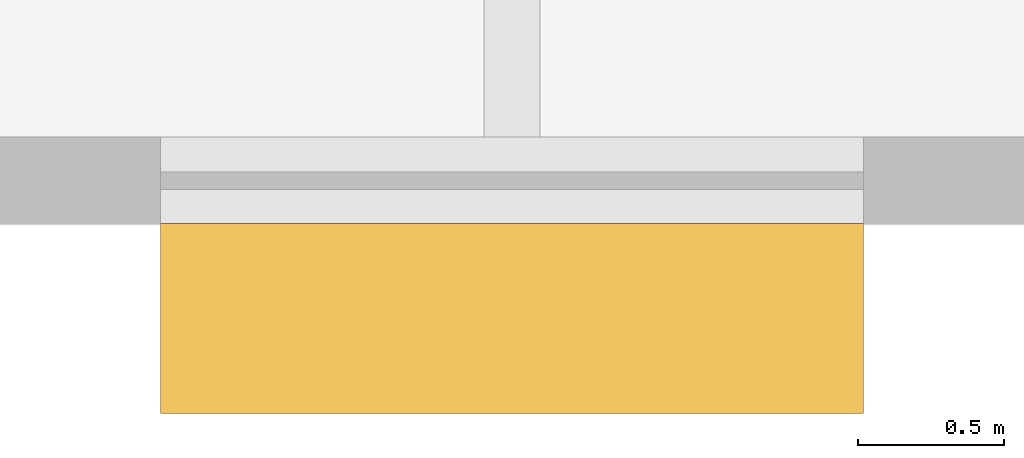
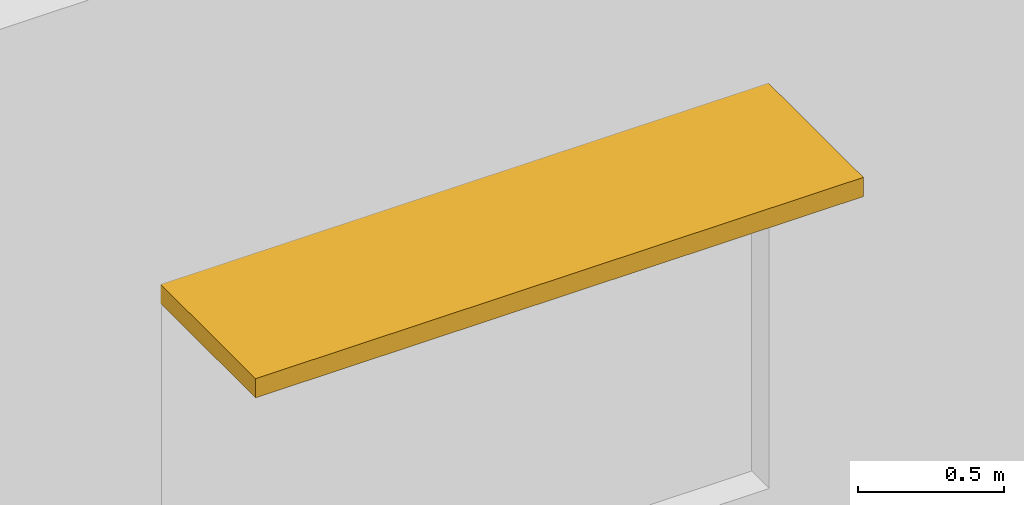
# One storey, part 16 of 16: 1 shading device.
"""IFC4 building model written with IfcOpenShell, lengths in metres."""

import ifcopenshell
import ifcopenshell.guid

model = None  # the IFC model being written
_history = None  # IfcOwnerHistory: only IFC2X3 demands one
_inside = {}  # id of a spatial element -> (the spatial element, [elements in it])
_under = {}  # id of a project, library or spatial element -> (it, [spatial elements below it])
_declared = {}  # id of a project -> (the project, [libraries it declares])
_typed = {}  # id of a type object -> (the type object, [elements of that type])
_made_of = {}  # id of a material, layer set ... -> (it, [elements and type objects made of it])


def new_model(schema):
    """Start an empty IFC model of exactly this schema.

    Asked for "IFC4X3", IfcOpenShell would pick the latest addendum, in which some entities
    have other attributes; the version numbers below select the first issue.
    IFC2X3 requires an IfcOwnerHistory on every rooted entity: one is made here for all.
    """
    global model, _history
    if schema == "IFC4X3":
        model = ifcopenshell.file(schema_version=(4, 3, 0, 0))
    else:
        model = ifcopenshell.file(schema=schema)
    _inside.clear()
    _under.clear()
    _declared.clear()
    _typed.clear()
    _made_of.clear()
    _history = None
    if model.schema == "IFC2X3":
        org = make("IfcOrganization", Name="unknown")
        user = make(
            "IfcPersonAndOrganization",
            ThePerson=make("IfcPerson", FamilyName="unknown"),
            TheOrganization=org,
        )
        app = make(
            "IfcApplication",
            ApplicationDeveloper=org,
            Version="unknown",
            ApplicationFullName="unknown",
            ApplicationIdentifier="unknown",
        )
        _history = make(
            "IfcOwnerHistory",
            OwningUser=user,
            OwningApplication=app,
            ChangeAction="ADDED",
            CreationDate=0,
        )
    return model


def make(cls, **values):
    """One entity of the class cls with the attributes given. An attribute that is None is left unset."""
    return model.create_entity(
        cls, **{name: value for name, value in values.items() if value is not None}
    )


def rooted(cls, **values):
    """An entity with a GlobalId (a new one), such as an element, a storey or a relation."""
    return make(cls, GlobalId=ifcopenshell.guid.new(), OwnerHistory=_history, **values)


def si_unit(unit_type, name, prefix=None):
    """IfcSIUnit, for example si_unit("LENGTHUNIT", "METRE", prefix="MILLI")."""
    return make("IfcSIUnit", UnitType=unit_type, Prefix=prefix, Name=name)


def assignment(units):
    """IfcUnitAssignment: the units of a project."""
    return None if units is None else make("IfcUnitAssignment", Units=units)


def point(xyz):
    """IfcCartesianPoint."""
    return None if xyz is None else make("IfcCartesianPoint", Coordinates=xyz)


def direction(xyz):
    """IfcDirection."""
    return None if xyz is None else make("IfcDirection", DirectionRatios=xyz)


def frame(location, z_axis=None, x_axis=None):
    """IfcAxis2Placement3D, a coordinate frame: its origin and axes. An axis left out is left unset."""
    return make(
        "IfcAxis2Placement3D",
        Location=point(location),
        Axis=direction(z_axis),
        RefDirection=direction(x_axis),
    )


def frame_2d(location, x_axis=None):
    """IfcAxis2Placement2D, a coordinate frame in the plane: its origin and x axis."""
    return make(
        "IfcAxis2Placement2D", Location=point(location), RefDirection=direction(x_axis)
    )


def origin():
    """The frame at (0, 0, 0) with its axes left unset."""
    return frame((0.0, 0.0, 0.0))


def origin_2d():
    """The frame at (0, 0) in the plane with its x axis left unset."""
    return frame_2d((0.0, 0.0))


def place(relative_to, where):
    """IfcLocalPlacement: puts the frame where relative to a parent placement (None: the world)."""
    return make(
        "IfcLocalPlacement", PlacementRelTo=relative_to, RelativePlacement=where
    )


def context(
    kind, dimensions, precision=None, world=None, true_north=None, identifier=None
):
    """IfcGeometricRepresentationContext, for example the 3D "Model" context."""
    return make(
        "IfcGeometricRepresentationContext",
        ContextIdentifier=identifier,
        ContextType=kind,
        CoordinateSpaceDimension=dimensions,
        Precision=precision,
        WorldCoordinateSystem=world,
        TrueNorth=true_north,
    )


def subcontext(parent, identifier, kind, view, scale=None):
    """IfcGeometricRepresentationSubContext, for example "Body" below "Model"."""
    return make(
        "IfcGeometricRepresentationSubContext",
        ContextIdentifier=identifier,
        ContextType=kind,
        ParentContext=parent,
        TargetScale=scale,
        TargetView=view,
    )


def project(units=None, contexts=None):
    """IfcProject with its units and contexts."""
    return rooted(
        "IfcProject",
        Name="project",
        RepresentationContexts=contexts,
        UnitsInContext=assignment(units),
    )


def spatial(cls, under=None, at=None, **own):
    """A site, building, storey or space (cls), placed at a placement, below another one or the project."""
    s = rooted(cls, ObjectPlacement=at, **own)
    if under is not None:
        _under.setdefault(under.id(), (under, []))[1].append(s)
    return s


def profile(cls, at=None, kind="AREA", **sizes):
    """A parametric profile (cls). Its sizes go by their IFC names, for example OverallWidth=200.0."""
    return make(cls, ProfileType=kind, Position=at, **sizes)


def rectangle(**sizes):
    """IfcRectangleProfileDef."""
    return profile("IfcRectangleProfileDef", **sizes)


def extrude(swept, where, along, depth):
    """IfcExtrudedAreaSolid: the profile swept, set in the frame where, extruded along a direction by depth."""
    return make(
        "IfcExtrudedAreaSolid",
        SweptArea=swept,
        Position=where,
        ExtrudedDirection=direction(along),
        Depth=depth,
    )


def shape(context_of_items, identifier, shape_type, items):
    """IfcShapeRepresentation: the items that make up one representation, for example the "Body"."""
    return make(
        "IfcShapeRepresentation",
        ContextOfItems=context_of_items,
        RepresentationIdentifier=identifier,
        RepresentationType=shape_type,
        Items=items,
    )


def material(Name=None, Category=None):
    """IfcMaterial."""
    return make("IfcMaterial", Name=Name, Category=Category)


def layer(
    of_material, thickness, ventilated=None, Name=None, Category=None, Priority=None
):
    """IfcMaterialLayer: one layer of a wall or slab, of a material (None: an air gap)."""
    return make(
        "IfcMaterialLayer",
        Material=of_material,
        LayerThickness=thickness,
        IsVentilated=ventilated,
        Name=Name,
        Category=Category,
        Priority=Priority,
    )


def layer_set(layers, Name=None):
    """IfcMaterialLayerSet."""
    return make("IfcMaterialLayerSet", MaterialLayers=layers, LayerSetName=Name)


def made_of(thing, what):
    """Note that an element or type object is made of a material, layer set ...; save() writes the relation."""
    if what is not None:
        _made_of.setdefault(what.id(), (what, []))[1].append(thing)
    return thing


def type_object(cls, material=None, **own):
    """A type object (cls), such as IfcWallType, which elements share."""
    return made_of(rooted(cls, **own), material)


def element(
    cls,
    number,
    at=None,
    inside=None,
    cuts=None,
    type_object=None,
    material=None,
    context=None,
    identifier="Body",
    shape_type=None,
    held_by="IfcProductDefinitionShape",
    body=None,
    shapes=None,
    **own,
):
    """One element of the class cls, such as IfcWall. Its Tag is "e" and its number.

    at: its placement. inside: the storey or other place that contains it. cuts: it is an
    opening in that element (IfcRelVoidsElement). A single representation is given by context,
    identifier, shape_type and body (its items); several are given by shapes. held_by: the class
    of the entity that holds the representations. save() writes the other relations.
    """
    e = rooted(cls, Tag="e%d" % number, ObjectPlacement=at, **own)
    if body is not None:
        shapes = [shape(context, identifier, shape_type, body)]
    if shapes is not None:
        e.Representation = make(held_by, Representations=shapes)
    if inside is not None:
        _inside.setdefault(inside.id(), (inside, []))[1].append(e)
    if cuts is not None:
        rooted(
            "IfcRelVoidsElement", RelatingBuildingElement=cuts, RelatedOpeningElement=e
        )
    if type_object is not None:
        _typed.setdefault(type_object.id(), (type_object, []))[1].append(e)
    return made_of(e, material)


def aggregate(whole, parts):
    """IfcRelAggregates: a whole, such as a stair, and the parts it consists of."""
    return rooted("IfcRelAggregates", RelatingObject=whole, RelatedObjects=parts)


def save(model, path):
    """Write the relations noted so far, then the file.

    IfcRelAggregates (storeys below a building ...), IfcRelContainedInSpatialStructure (elements
    in a storey), IfcRelDefinesByType, IfcRelAssociatesMaterial and IfcRelDeclares: one each for
    every whole, place, type object, material and project.
    """
    for whole, parts in _under.values():
        aggregate(whole, parts)
    for where, things in _inside.values():
        rooted(
            "IfcRelContainedInSpatialStructure",
            RelatedElements=things,
            RelatingStructure=where,
        )
    for kind, things in _typed.values():
        rooted("IfcRelDefinesByType", RelatedObjects=things, RelatingType=kind)
    for what, things in _made_of.values():
        rooted("IfcRelAssociatesMaterial", RelatedObjects=things, RelatingMaterial=what)
    for by, libraries in _declared.values():
        rooted("IfcRelDeclares", RelatingContext=by, RelatedDefinitions=libraries)
    model.write(path)


model = new_model("IFC4")

# Units and contexts
model_context = context("Model", 3, precision=1e-05, world=origin(), true_north=direction((0.0, 1.0)))
body_context = subcontext(model_context, "Body", "Model", "MODEL_VIEW")
ifc_project = project(units=[si_unit("LENGTHUNIT", "METRE"), si_unit("AREAUNIT", "SQUARE_METRE"), si_unit("VOLUMEUNIT", "CUBIC_METRE"), si_unit("PLANEANGLEUNIT", "RADIAN"), si_unit("MASSUNIT", "GRAM", prefix="KILO")], contexts=[model_context])

# Site, building, storey
site_placement = place(None, origin())
site = spatial("IfcSite", under=ifc_project, at=site_placement, CompositionType="ELEMENT")
building_placement = place(site_placement, origin())
building = spatial("IfcBuilding", under=site, at=building_placement, Name="Solnavia Interchange Tower", CompositionType="ELEMENT")
storey_placement = place(building_placement, frame((0.0, 0.0, 5.39990234375)))
storey = spatial("IfcBuildingStorey", under=building, at=storey_placement, Name="L01", CompositionType="ELEMENT", Elevation=5.39990234375)

# Shading device
ifc_material = material(Name="Anodised Aluminium Sunshade", Category="aluminium")
ifc_layer = layer(ifc_material, 0.080078125)
ifc_layer_set = layer_set([ifc_layer], Name="Anodised Aluminium Sunshade")
shading_device_type = type_object("IfcShadingDeviceType", Name="Sunshade-Band-650", PredefinedType="SHUTTER", material=ifc_layer_set)
shading_device_placement = place(storey_placement, frame((68.39990234375, -0.469970703125, 2.4599609375), z_axis=(0.0, 0.0, 1.0), x_axis=(1.0, 0.0, 0.0)))
element("IfcShadingDevice", 1, at=shading_device_placement, inside=storey, type_object=shading_device_type, Name="SHD-L01-S07 South horizontal sunshade band", PredefinedType="SHUTTER", context=body_context, shape_type="SweptSolid", body=[
    extrude(rectangle(XDim=2.39990234375, YDim=0.64990234375, at=origin_2d()), origin(), (0.0, 0.0, 1.0), 0.080078125),
])

save(model, "model.ifc")
